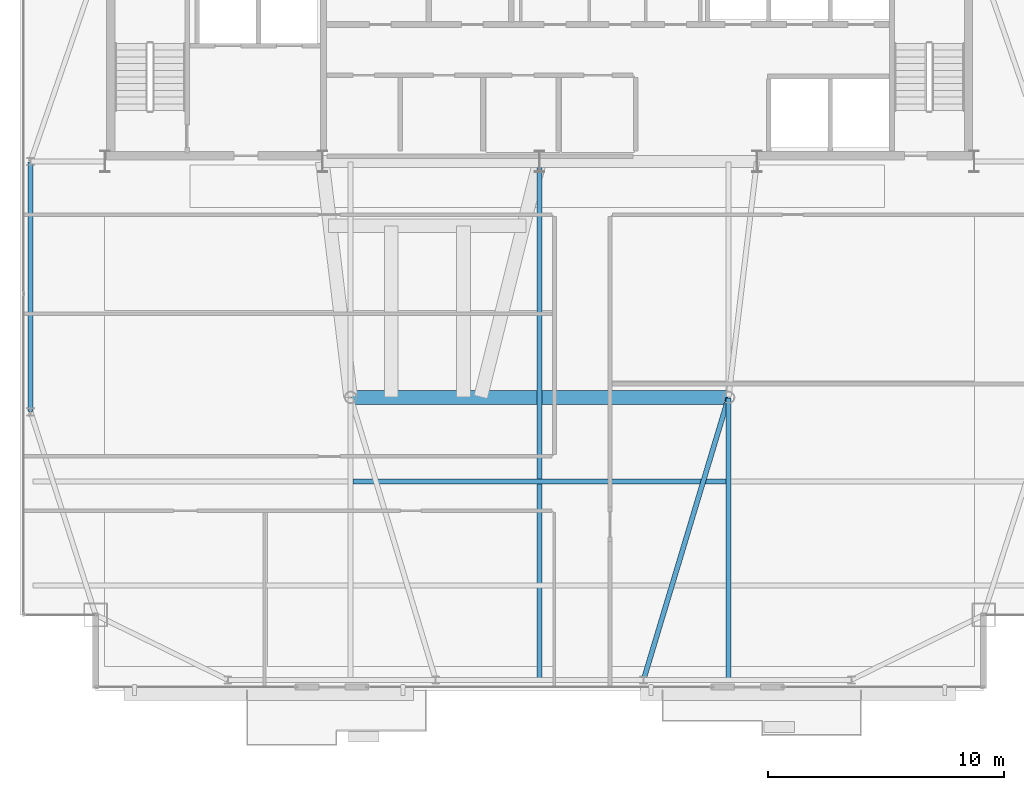
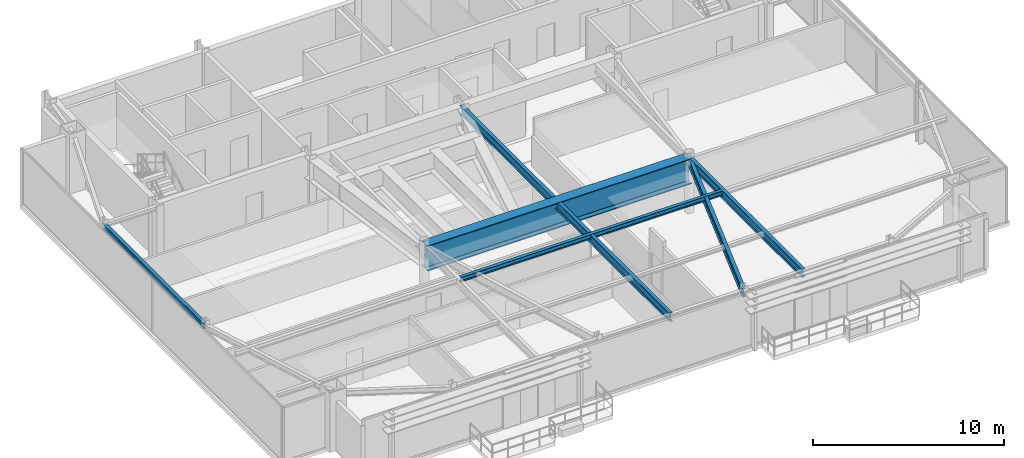
# One storey, part 8 of 21: 6 beams.
"""IFC4 building model written with IfcOpenShell, lengths in metres."""

import ifcopenshell
import ifcopenshell.guid

model = None  # the IFC model being written
_history = None  # IfcOwnerHistory: only IFC2X3 demands one
_inside = {}  # id of a spatial element -> (the spatial element, [elements in it])
_under = {}  # id of a project, library or spatial element -> (it, [spatial elements below it])
_declared = {}  # id of a project -> (the project, [libraries it declares])
_typed = {}  # id of a type object -> (the type object, [elements of that type])
_made_of = {}  # id of a material, layer set ... -> (it, [elements and type objects made of it])


def new_model(schema):
    """Start an empty IFC model of exactly this schema.

    Asked for "IFC4X3", IfcOpenShell would pick the latest addendum, in which some entities
    have other attributes; the version numbers below select the first issue.
    IFC2X3 requires an IfcOwnerHistory on every rooted entity: one is made here for all.
    """
    global model, _history
    if schema == "IFC4X3":
        model = ifcopenshell.file(schema_version=(4, 3, 0, 0))
    else:
        model = ifcopenshell.file(schema=schema)
    _inside.clear()
    _under.clear()
    _declared.clear()
    _typed.clear()
    _made_of.clear()
    _history = None
    if model.schema == "IFC2X3":
        org = make("IfcOrganization", Name="unknown")
        user = make(
            "IfcPersonAndOrganization",
            ThePerson=make("IfcPerson", FamilyName="unknown"),
            TheOrganization=org,
        )
        app = make(
            "IfcApplication",
            ApplicationDeveloper=org,
            Version="unknown",
            ApplicationFullName="unknown",
            ApplicationIdentifier="unknown",
        )
        _history = make(
            "IfcOwnerHistory",
            OwningUser=user,
            OwningApplication=app,
            ChangeAction="ADDED",
            CreationDate=0,
        )
    return model


def make(cls, **values):
    """One entity of the class cls with the attributes given. An attribute that is None is left unset."""
    return model.create_entity(
        cls, **{name: value for name, value in values.items() if value is not None}
    )


def rooted(cls, **values):
    """An entity with a GlobalId (a new one), such as an element, a storey or a relation."""
    return make(cls, GlobalId=ifcopenshell.guid.new(), OwnerHistory=_history, **values)


def si_unit(unit_type, name, prefix=None):
    """IfcSIUnit, for example si_unit("LENGTHUNIT", "METRE", prefix="MILLI")."""
    return make("IfcSIUnit", UnitType=unit_type, Prefix=prefix, Name=name)


def assignment(units):
    """IfcUnitAssignment: the units of a project."""
    return None if units is None else make("IfcUnitAssignment", Units=units)


def point(xyz):
    """IfcCartesianPoint."""
    return None if xyz is None else make("IfcCartesianPoint", Coordinates=xyz)


def direction(xyz):
    """IfcDirection."""
    return None if xyz is None else make("IfcDirection", DirectionRatios=xyz)


def frame(location, z_axis=None, x_axis=None):
    """IfcAxis2Placement3D, a coordinate frame: its origin and axes. An axis left out is left unset."""
    return make(
        "IfcAxis2Placement3D",
        Location=point(location),
        Axis=direction(z_axis),
        RefDirection=direction(x_axis),
    )


def frame_2d(location, x_axis=None):
    """IfcAxis2Placement2D, a coordinate frame in the plane: its origin and x axis."""
    return make(
        "IfcAxis2Placement2D", Location=point(location), RefDirection=direction(x_axis)
    )


def origin():
    """The frame at (0, 0, 0) with its axes left unset."""
    return frame((0.0, 0.0, 0.0))


def origin_2d():
    """The frame at (0, 0) in the plane with its x axis left unset."""
    return frame_2d((0.0, 0.0))


def place(relative_to, where):
    """IfcLocalPlacement: puts the frame where relative to a parent placement (None: the world)."""
    return make(
        "IfcLocalPlacement", PlacementRelTo=relative_to, RelativePlacement=where
    )


def context(
    kind, dimensions, precision=None, world=None, true_north=None, identifier=None
):
    """IfcGeometricRepresentationContext, for example the 3D "Model" context."""
    return make(
        "IfcGeometricRepresentationContext",
        ContextIdentifier=identifier,
        ContextType=kind,
        CoordinateSpaceDimension=dimensions,
        Precision=precision,
        WorldCoordinateSystem=world,
        TrueNorth=true_north,
    )


def subcontext(parent, identifier, kind, view, scale=None):
    """IfcGeometricRepresentationSubContext, for example "Body" below "Model"."""
    return make(
        "IfcGeometricRepresentationSubContext",
        ContextIdentifier=identifier,
        ContextType=kind,
        ParentContext=parent,
        TargetScale=scale,
        TargetView=view,
    )


def project(units=None, contexts=None):
    """IfcProject with its units and contexts."""
    return rooted(
        "IfcProject",
        Name="project",
        RepresentationContexts=contexts,
        UnitsInContext=assignment(units),
    )


def spatial(cls, under=None, at=None, **own):
    """A site, building, storey or space (cls), placed at a placement, below another one or the project."""
    s = rooted(cls, ObjectPlacement=at, **own)
    if under is not None:
        _under.setdefault(under.id(), (under, []))[1].append(s)
    return s


def profile(cls, at=None, kind="AREA", **sizes):
    """A parametric profile (cls). Its sizes go by their IFC names, for example OverallWidth=200.0."""
    return make(cls, ProfileType=kind, Position=at, **sizes)


def i_section(**sizes):
    """IfcIShapeProfileDef."""
    return profile("IfcIShapeProfileDef", **sizes)


def extrude(swept, where, along, depth):
    """IfcExtrudedAreaSolid: the profile swept, set in the frame where, extruded along a direction by depth."""
    return make(
        "IfcExtrudedAreaSolid",
        SweptArea=swept,
        Position=where,
        ExtrudedDirection=direction(along),
        Depth=depth,
    )


def shape(context_of_items, identifier, shape_type, items):
    """IfcShapeRepresentation: the items that make up one representation, for example the "Body"."""
    return make(
        "IfcShapeRepresentation",
        ContextOfItems=context_of_items,
        RepresentationIdentifier=identifier,
        RepresentationType=shape_type,
        Items=items,
    )


def source(mapping_origin, context_of_items, identifier, shape_type, items):
    """IfcRepresentationMap: a shape defined once, which mapped items show again and again."""
    return make(
        "IfcRepresentationMap",
        MappingOrigin=mapping_origin,
        MappedRepresentation=shape(context_of_items, identifier, shape_type, items),
    )


def transform(
    local_origin,
    x_axis=None,
    y_axis=None,
    z_axis=None,
    scale=None,
    scale2=None,
    scale3=None,
    uniform=True,
):
    """IfcCartesianTransformationOperator3D, or its non-uniform kind. x_axis, y_axis, z_axis: its Axis1, 2, 3."""
    if uniform:
        return make(
            "IfcCartesianTransformationOperator3D",
            Axis1=direction(x_axis),
            Axis2=direction(y_axis),
            LocalOrigin=point(local_origin),
            Scale=scale,
            Axis3=direction(z_axis),
        )
    return make(
        "IfcCartesianTransformationOperator3DnonUniform",
        Axis1=direction(x_axis),
        Axis2=direction(y_axis),
        LocalOrigin=point(local_origin),
        Scale=scale,
        Axis3=direction(z_axis),
        Scale2=scale2,
        Scale3=scale3,
    )


def mapped(mapping_source, mapping_target):
    """IfcMappedItem: shows the shape of a source again, moved by a transform."""
    return make(
        "IfcMappedItem", MappingSource=mapping_source, MappingTarget=mapping_target
    )


def material(Name=None, Category=None):
    """IfcMaterial."""
    return make("IfcMaterial", Name=Name, Category=Category)


def material_profile(
    of_material, cross_section, Name=None, Category=None, Priority=None
):
    """IfcMaterialProfile: a cross section and its material."""
    return make(
        "IfcMaterialProfile",
        Name=Name,
        Material=of_material,
        Profile=cross_section,
        Priority=Priority,
        Category=Category,
    )


def profile_set(profiles, Name=None, composite=None):
    """IfcMaterialProfileSet."""
    return make(
        "IfcMaterialProfileSet",
        Name=Name,
        MaterialProfiles=profiles,
        CompositeProfile=composite,
    )


def made_of(thing, what):
    """Note that an element or type object is made of a material, layer set ...; save() writes the relation."""
    if what is not None:
        _made_of.setdefault(what.id(), (what, []))[1].append(thing)
    return thing


def type_object(cls, material=None, **own):
    """A type object (cls), such as IfcWallType, which elements share."""
    return made_of(rooted(cls, **own), material)


def type_shapes(of_type, sources):
    """Give a type object the sources (RepresentationMaps) that its elements show as mapped items."""
    of_type.RepresentationMaps = sources


def element(
    cls,
    number,
    at=None,
    inside=None,
    cuts=None,
    type_object=None,
    material=None,
    context=None,
    identifier="Body",
    shape_type=None,
    held_by="IfcProductDefinitionShape",
    body=None,
    shapes=None,
    **own,
):
    """One element of the class cls, such as IfcWall. Its Tag is "e" and its number.

    at: its placement. inside: the storey or other place that contains it. cuts: it is an
    opening in that element (IfcRelVoidsElement). A single representation is given by context,
    identifier, shape_type and body (its items); several are given by shapes. held_by: the class
    of the entity that holds the representations. save() writes the other relations.
    """
    e = rooted(cls, Tag="e%d" % number, ObjectPlacement=at, **own)
    if body is not None:
        shapes = [shape(context, identifier, shape_type, body)]
    if shapes is not None:
        e.Representation = make(held_by, Representations=shapes)
    if inside is not None:
        _inside.setdefault(inside.id(), (inside, []))[1].append(e)
    if cuts is not None:
        rooted(
            "IfcRelVoidsElement", RelatingBuildingElement=cuts, RelatedOpeningElement=e
        )
    if type_object is not None:
        _typed.setdefault(type_object.id(), (type_object, []))[1].append(e)
    return made_of(e, material)


def aggregate(whole, parts):
    """IfcRelAggregates: a whole, such as a stair, and the parts it consists of."""
    return rooted("IfcRelAggregates", RelatingObject=whole, RelatedObjects=parts)


def save(model, path):
    """Write the relations noted so far, then the file.

    IfcRelAggregates (storeys below a building ...), IfcRelContainedInSpatialStructure (elements
    in a storey), IfcRelDefinesByType, IfcRelAssociatesMaterial and IfcRelDeclares: one each for
    every whole, place, type object, material and project.
    """
    for whole, parts in _under.values():
        aggregate(whole, parts)
    for where, things in _inside.values():
        rooted(
            "IfcRelContainedInSpatialStructure",
            RelatedElements=things,
            RelatingStructure=where,
        )
    for kind, things in _typed.values():
        rooted("IfcRelDefinesByType", RelatedObjects=things, RelatingType=kind)
    for what, things in _made_of.values():
        rooted("IfcRelAssociatesMaterial", RelatedObjects=things, RelatingMaterial=what)
    for by, libraries in _declared.values():
        rooted("IfcRelDeclares", RelatingContext=by, RelatedDefinitions=libraries)
    model.write(path)


model = new_model("IFC4")

# Units and contexts
model_context = context("Model", 3, precision=1e-05, world=origin(), true_north=direction((0.0, 1.0)))
body_context = subcontext(model_context, "Body", "Model", "MODEL_VIEW")
ifc_project = project(units=[si_unit("LENGTHUNIT", "METRE"), si_unit("AREAUNIT", "SQUARE_METRE"), si_unit("VOLUMEUNIT", "CUBIC_METRE"), si_unit("PLANEANGLEUNIT", "RADIAN"), si_unit("MASSUNIT", "GRAM", prefix="KILO")], contexts=[model_context])

# Site, building, storey
site_placement = place(None, origin())
site = spatial("IfcSite", under=ifc_project, at=site_placement, CompositionType="ELEMENT")
building_placement = place(site_placement, origin())
building = spatial("IfcBuilding", under=site, at=building_placement, Name="Varnel Quay Broadcast Tower", CompositionType="ELEMENT")
storey_placement = place(building_placement, frame((0.0, 0.0, 296.39990234375)))
storey = spatial("IfcBuildingStorey", under=building, at=storey_placement, Name="L74", CompositionType="ELEMENT", Elevation=296.39990234375)

# Beams
ifc_material_1 = material(Name="Structural Steel CSA G40.21 350W", Category="steel")
ifc_material_profile_1 = material_profile(ifc_material_1, i_section(OverallWidth=0.205078125, OverallDepth=0.35400390625, WebThickness=0.009521484375, FlangeThickness=0.016845703125, FilletRadius=0.012939453125, at=origin_2d()), Name="W360X79")
ifc_profile_set_1 = profile_set([ifc_material_profile_1], Name="Structural Steel CSA G40.21 350W")
beam_type_1 = type_object("IfcBeamType", Name="Beam_W360X79", PredefinedType="SPANDREL", material=ifc_profile_set_1)
shared_shape_1 = source(origin(), body_context, "Body", "SweptSolid", [
    extrude(i_section(OverallWidth=0.205078125, OverallDepth=0.35400390625, WebThickness=0.009521484375, FlangeThickness=0.016845703125, FilletRadius=0.012939453125, at=origin_2d()), origin(), (0.0, 0.0, 1.0), 10.56005859375),
])
type_shapes(beam_type_1, [shared_shape_1])
beam_1_placement = place(storey_placement, frame((12.449951171875, 25.02001953125, 3.343017578125), z_axis=(0.0, 1.0, 0.0), x_axis=(-1.0, 0.0, 0.0)))
element("IfcBeam", 1, at=beam_1_placement, inside=storey, type_object=beam_type_1, Name="L74 West Spandrel TC-W1-TC-W2", PredefinedType="SPANDREL", context=body_context, shape_type="MappedRepresentation", body=[
    mapped(shared_shape_1, transform((0.0, 0.0, 0.0), x_axis=(1.0, 0.0, 0.0), y_axis=(0.0, 1.0, 0.0), z_axis=(0.0, 0.0, 1.0), scale=1.0)),
])
ifc_material_profile_2 = material_profile(ifc_material_1, i_section(OverallWidth=0.2119140625, OverallDepth=0.5439453125, WebThickness=0.01318359375, FlangeThickness=0.021240234375, FilletRadius=0.013916015625, at=origin_2d()), Name="W530X123")
ifc_profile_set_2 = profile_set([ifc_material_profile_2], Name="Structural Steel CSA G40.21 350W")
beam_type_2 = type_object("IfcBeamType", Name="Girder_W530X123", PredefinedType="BEAM", material=ifc_profile_set_2)
shared_shape_2 = source(origin(), body_context, "Body", "SweptSolid", [
    extrude(i_section(OverallWidth=0.2119140625, OverallDepth=0.5439453125, WebThickness=0.01318359375, FlangeThickness=0.021240234375, FilletRadius=0.013916015625, at=origin_2d()), origin(), (0.0, 0.0, 1.0), 12.449951171875),
])
beam_2_placement = place(storey_placement, frame((38.40576171875, 13.669189453125, 3.248046875), z_axis=(0.28822390679, 0.957563042078, 0.0), x_axis=(-0.957563042078, 0.28822390679, 0.0)))
element("IfcBeam", 2, at=beam_2_placement, inside=storey, type_object=beam_type_2, Name="L74 Primary Girder TC-S3-IC-02", PredefinedType="BEAM", context=body_context, shape_type="MappedRepresentation", body=[
    mapped(shared_shape_2, transform((0.0, 0.0, 0.0), x_axis=(1.0, 0.0, 0.0), y_axis=(0.0, 1.0, 0.0), z_axis=(0.0, 0.0, 1.0), scale=1.0)),
])
shared_shape_3 = source(origin(), body_context, "Body", "SweptSolid", [
    extrude(i_section(OverallWidth=0.2119140625, OverallDepth=0.5439453125, WebThickness=0.01318359375, FlangeThickness=0.021240234375, FilletRadius=0.013916015625, at=origin_2d()), origin(), (0.0, 0.0, 1.0), 21.91015625),
])
beam_3_placement = place(storey_placement, frame((34.0, 13.669921875, 3.248046875), z_axis=(0.0, 1.0, 0.0), x_axis=(-1.0, 0.0, 0.0)))
element("IfcBeam", 3, at=beam_3_placement, inside=storey, type_object=beam_type_2, Name="L74 Central Bay Girder", PredefinedType="BEAM", context=body_context, shape_type="MappedRepresentation", body=[
    mapped(shared_shape_3, transform((0.0, 0.0, 0.0), x_axis=(1.0, 0.0, 0.0), y_axis=(0.0, 1.0, 0.0), z_axis=(0.0, 0.0, 1.0), scale=1.0)),
])
shared_shape_4 = source(origin(), body_context, "Body", "SweptSolid", [
    extrude(i_section(OverallWidth=0.2119140625, OverallDepth=0.5439453125, WebThickness=0.01318359375, FlangeThickness=0.021240234375, FilletRadius=0.013916015625, at=origin_2d()), origin(), (0.0, 0.0, 1.0), 11.920166015625),
])
type_shapes(beam_type_2, [shared_shape_2, shared_shape_3, shared_shape_4])
beam_4_placement = place(storey_placement, frame((42.0, 13.669921875, 3.248046875), z_axis=(0.0, 1.0, 0.0), x_axis=(-1.0, 0.0, 0.0)))
element("IfcBeam", 4, at=beam_4_placement, inside=storey, type_object=beam_type_2, Name="L74 N-S Joist Header IC-02S", PredefinedType="BEAM", context=body_context, shape_type="MappedRepresentation", body=[
    mapped(shared_shape_4, transform((0.0, 0.0, 0.0), x_axis=(1.0, 0.0, 0.0), y_axis=(0.0, 1.0, 0.0), z_axis=(0.0, 0.0, 1.0), scale=1.0)),
])
ifc_material_profile_3 = material_profile(ifc_material_1, i_section(OverallWidth=0.202880859375, OverallDepth=0.302978515625, WebThickness=0.007568359375, FlangeThickness=0.01318359375, FilletRadius=0.011962890625, at=origin_2d()), Name="W310X60")
ifc_profile_set_3 = profile_set([ifc_material_profile_3], Name="Structural Steel CSA G40.21 350W")
beam_type_3 = type_object("IfcBeamType", Name="Beam_W310X60", PredefinedType="JOIST", material=ifc_profile_set_3)
shared_shape_5 = source(origin(), body_context, "Body", "SweptSolid", [
    extrude(i_section(OverallWidth=0.202880859375, OverallDepth=0.302978515625, WebThickness=0.007568359375, FlangeThickness=0.01318359375, FilletRadius=0.011962890625, at=origin_2d()), origin(), (0.0, 0.0, 1.0), 15.7978515625),
])
type_shapes(beam_type_3, [shared_shape_5])
beam_5_placement = place(storey_placement, frame((26.10107421875, 22.050048828125, 3.36865234375), z_axis=(1.0, 0.0, 0.0), x_axis=(0.0, 1.0, 0.0)))
element("IfcBeam", 5, at=beam_5_placement, inside=storey, type_object=beam_type_3, Name="L74 Central Floor Joist 2", PredefinedType="JOIST", context=body_context, shape_type="MappedRepresentation", body=[
    mapped(shared_shape_5, transform((0.0, 0.0, 0.0), x_axis=(1.0, 0.0, 0.0), y_axis=(0.0, 1.0, 0.0), z_axis=(0.0, 0.0, 1.0), scale=1.0)),
])
ifc_material_2 = material(Name="Structural Steel CSA G40.21 350WT", Category="steel")
ifc_material_profile_4 = material_profile(ifc_material_2, i_section(OverallWidth=0.60009765625, OverallDepth=1.60009765625, WebThickness=0.02392578125, FlangeThickness=0.0419921875, FilletRadius=0.02197265625, at=origin_2d()), Name="WWF1600X620")
ifc_profile_set_4 = profile_set([ifc_material_profile_4], Name="Structural Steel CSA G40.21 350WT")
beam_type_4 = type_object("IfcBeamType", Name="Girder_WWF1600X620", PredefinedType="BEAM", material=ifc_profile_set_4)
shared_shape_6 = source(origin(), body_context, "Body", "SweptSolid", [
    extrude(i_section(OverallWidth=0.60009765625, OverallDepth=1.60009765625, WebThickness=0.02392578125, FlangeThickness=0.0419921875, FilletRadius=0.02197265625, at=origin_2d()), origin(), (0.0, 0.0, 1.0), 15.9599609375),
])
type_shapes(beam_type_4, [shared_shape_6])
beam_6_placement = place(storey_placement, frame((26.02001953125, 25.610107421875, 2.72021484375), z_axis=(1.0, 0.0, 0.0), x_axis=(0.0, 1.0, 0.0)))
element("IfcBeam", 6, at=beam_6_placement, inside=storey, type_object=beam_type_4, Name="L74 ST4 Primary Spine Transfer Girder", PredefinedType="BEAM", context=body_context, shape_type="MappedRepresentation", body=[
    mapped(shared_shape_6, transform((0.0, 0.0, 0.0), x_axis=(1.0, 0.0, 0.0), y_axis=(0.0, 1.0, 0.0), z_axis=(0.0, 0.0, 1.0), scale=1.0)),
])

save(model, "model.ifc")
